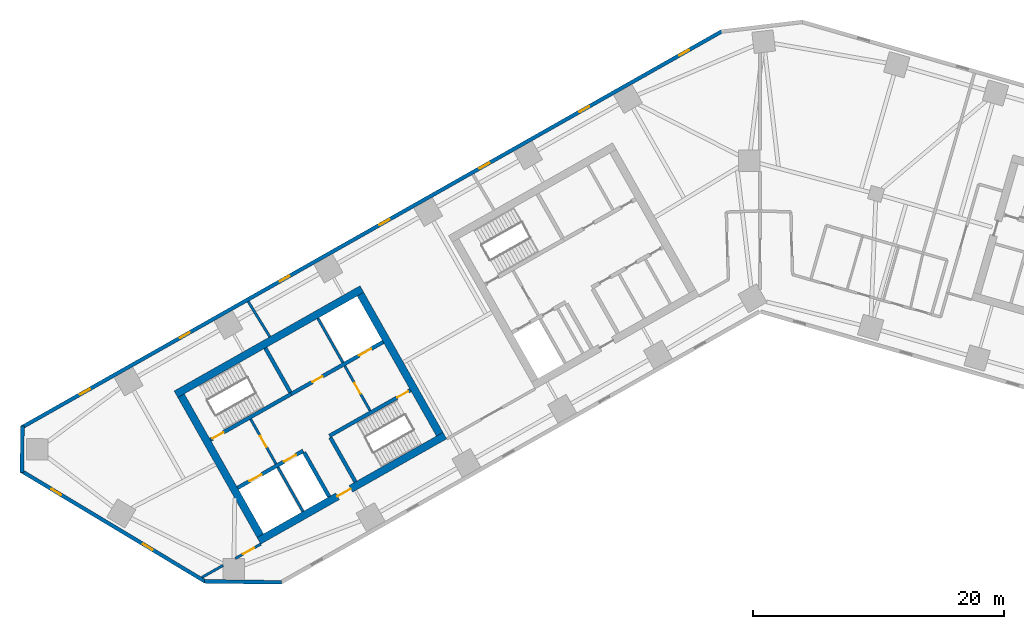
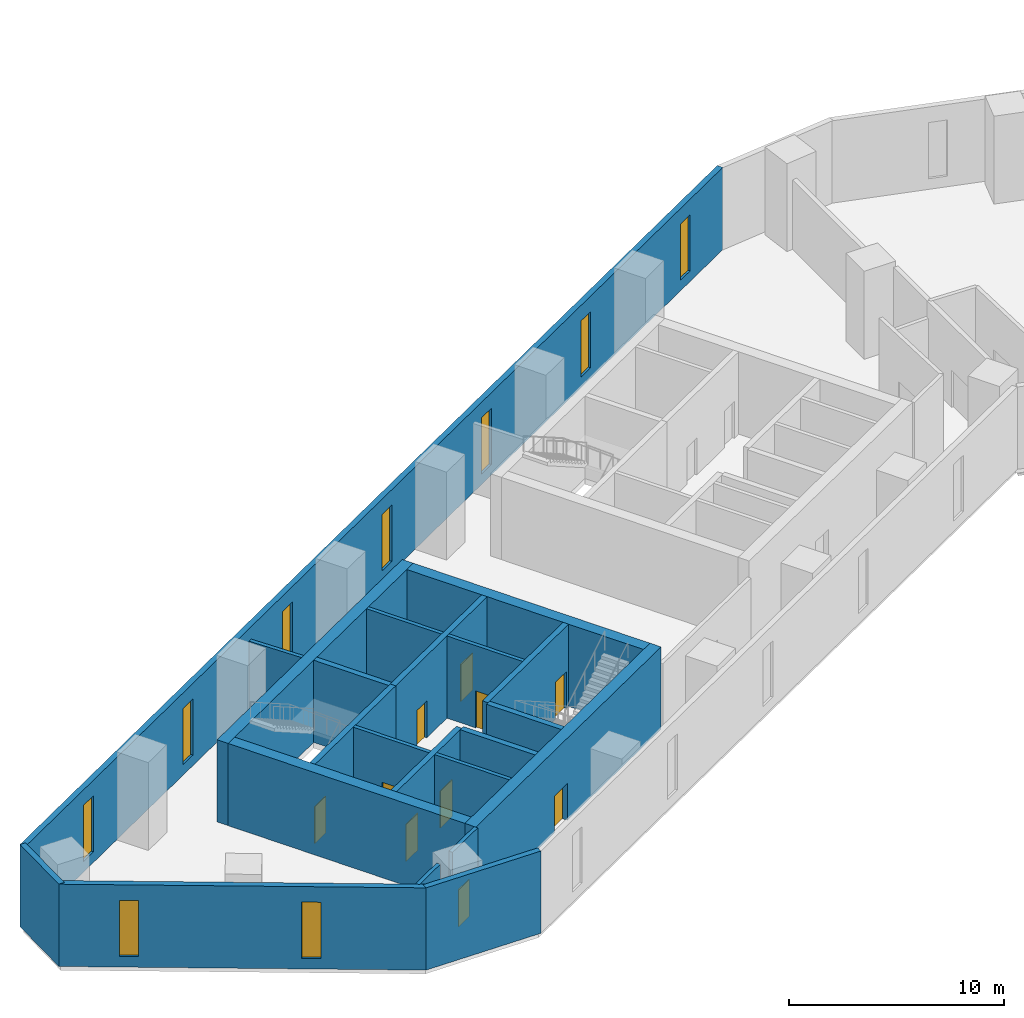
# One storey, part 3 of 10: 22 walls, 10 doors, 9 windows, 19 openings.
"""IFC4 building model written with IfcOpenShell, lengths in metres."""

from ifc_helpers import new_model, si_unit, direction, frame, frame_2d, origin, place, context, subcontext, project, spatial, rectangle, extrude, material, layer, layer_set, type_object, element, fill, save


model = new_model("IFC4")

# Units and contexts
model_context = context("Model", 3, precision=1e-05, world=origin(), true_north=direction((0.0, 1.0)))
body_context = subcontext(model_context, "Body", "Model", "MODEL_VIEW")
ifc_project = project(units=[si_unit("LENGTHUNIT", "METRE"), si_unit("AREAUNIT", "SQUARE_METRE"), si_unit("VOLUMEUNIT", "CUBIC_METRE"), si_unit("PLANEANGLEUNIT", "RADIAN"), si_unit("MASSUNIT", "GRAM", prefix="KILO")], contexts=[model_context])

# Site, building, storey
site_placement = place(None, origin())
site = spatial("IfcSite", under=ifc_project, at=site_placement, CompositionType="ELEMENT")
building_placement = place(site_placement, origin())
building = spatial("IfcBuilding", under=site, at=building_placement, Name="Binnacle Exchange Tower", CompositionType="ELEMENT")
storey_placement = place(building_placement, frame((0.0, 0.0, 31.5)))
storey = spatial("IfcBuildingStorey", under=building, at=storey_placement, Name="L06", CompositionType="ELEMENT", Elevation=31.5)

# Wall, openings, doors
ifc_material_1 = material(Name="Concrete C70/85", Category="concrete")
ifc_layer_1 = layer(ifc_material_1, 0.300048828125)
ifc_layer_set_1 = layer_set([ifc_layer_1], Name="Core wall - front 300")
wall_type_1 = type_object("IfcWallType", Name="Core wall - front 300", PredefinedType="SOLIDWALL", material=ifc_layer_set_1)
wall_1_placement = place(storey_placement, frame((-41.555908203125, 33.9609375, 0.0), z_axis=(0.0, 0.0, 1.0), x_axis=(0.870343731308, 0.492444706919, 0.0)))
wall_1 = element("IfcWall", 1, at=wall_1_placement, inside=storey, type_object=wall_type_1, Name="Core wall CRWA2", PredefinedType="SOLIDWALL", context=body_context, shape_type="SweptSolid", body=[
    extrude(rectangle(XDim=5.999755859375, YDim=0.300048828125, at=frame_2d((3.0, 0.0))), origin(), (0.0, 0.0, 1.0), 4.679931640625),
])
opening_1_placement = place(wall_1_placement, frame((1.099853515625, 0.0, 0.0)))
opening_1 = element("IfcOpeningElement", 2, at=opening_1_placement, cuts=wall_1, Name="Opening LD12", PredefinedType="OPENING", context=body_context, shape_type="SweptSolid", body=[
    extrude(rectangle(XDim=1.10009765625, YDim=2.10009765625, at=frame_2d((0.550048828125, 1.050048828125))), frame((0.0, 0.159912109375, 0.0), z_axis=(0.0, -1.0, 0.0), x_axis=(1.0, 0.0, 0.0)), (0.0, 0.0, 1.0), 0.320068359375),
])
opening_2_placement = place(wall_1_placement, frame((4.25, 0.0, 0.0)))
opening_2 = element("IfcOpeningElement", 3, at=opening_2_placement, cuts=wall_1, Name="Opening LD8", PredefinedType="OPENING", context=body_context, shape_type="SweptSolid", body=[
    extrude(rectangle(XDim=1.10009765625, YDim=2.10009765625, at=frame_2d((0.550048828125, 1.050048828125))), frame((0.0, 0.159912109375, 0.0), z_axis=(0.0, -1.0, 0.0), x_axis=(1.0, 0.0, 0.0)), (0.0, 0.0, 1.0), 0.320068359375),
])
ifc_material_2 = material(Name="Steel door leaf", Category="steel")
door_type_1 = type_object("IfcDoorType", Name="Fire door - lift landing 1100", OperationType="NOTDEFINED", PredefinedType="DOOR", material=ifc_material_2)
door_1_placement = place(opening_1_placement, origin())
door_1 = element("IfcDoor", 4, at=door_1_placement, inside=storey, type_object=door_type_1, Name="Landing door LD12 L06", OperationType="DOUBLE_DOOR_SLIDING", OverallHeight=2.10009765625, OverallWidth=1.10009765625, PredefinedType="DOOR", context=body_context, shape_type="SweptSolid", body=[
    extrude(rectangle(XDim=1.10009765625, YDim=2.10009765625, at=frame_2d((0.550048828125, 1.050048828125))), frame((0.0, 0.02490234375, 0.0), z_axis=(0.0, -1.0, 0.0), x_axis=(1.0, 0.0, 0.0)), (0.0, 0.0, 1.0), 0.050048828125),
])
fill(opening_1, door_1)
door_2_placement = place(opening_2_placement, origin())
door_2 = element("IfcDoor", 5, at=door_2_placement, inside=storey, type_object=door_type_1, Name="Landing door LD8 L06", OperationType="DOUBLE_DOOR_SLIDING", OverallHeight=2.10009765625, OverallWidth=1.10009765625, PredefinedType="DOOR", context=body_context, shape_type="SweptSolid", body=[
    extrude(rectangle(XDim=1.10009765625, YDim=2.10009765625, at=frame_2d((0.550048828125, 1.050048828125))), frame((0.0, 0.02490234375, 0.0), z_axis=(0.0, -1.0, 0.0), x_axis=(1.0, 0.0, 0.0)), (0.0, 0.0, 1.0), 0.050048828125),
])
fill(opening_2, door_2)

wall_2_placement = place(storey_placement, frame((-37.281982421875, 41.4345703125, 0.0), z_axis=(0.0, 0.0, 1.0), x_axis=(0.870356516133, 0.492422110414, 0.0)))
wall_2 = element("IfcWall", 6, at=wall_2_placement, inside=storey, type_object=wall_type_1, Name="Core wall CRWA5", PredefinedType="SOLIDWALL", context=body_context, shape_type="SweptSolid", body=[
    extrude(rectangle(XDim=8.399658203125, YDim=0.300048828125, at=frame_2d((4.19970703125, 0.0))), origin(), (0.0, 0.0, 1.0), 4.679931640625),
])
opening_3_placement = place(wall_2_placement, frame((6.199951171875, 0.0, 0.0)))
opening_3 = element("IfcOpeningElement", 7, at=opening_3_placement, cuts=wall_2, Name="Opening LD13", PredefinedType="OPENING", context=body_context, shape_type="SweptSolid", body=[
    extrude(rectangle(XDim=1.10009765625, YDim=2.10009765625, at=frame_2d((0.550048828125, 1.050048828125))), frame((0.0, 0.159912109375, 0.0), z_axis=(0.0, -1.0, 0.0), x_axis=(1.0, 0.0, 0.0)), (0.0, 0.0, 1.0), 0.320068359375),
])
opening_4_placement = place(wall_2_placement, frame((1.949951171875, 0.0, 0.0)))
opening_4 = element("IfcOpeningElement", 8, at=opening_4_placement, cuts=wall_2, Name="Opening DA10", PredefinedType="OPENING", context=body_context, shape_type="SweptSolid", body=[
    extrude(rectangle(XDim=0.89990234375, YDim=2.10009765625, at=frame_2d((0.449951171875, 1.050048828125))), frame((0.0, 0.159912109375, 0.0), z_axis=(0.0, -1.0, 0.0), x_axis=(1.0, 0.0, 0.0)), (0.0, 0.0, 1.0), 0.320068359375),
])
door_3_placement = place(opening_3_placement, origin())
door_3 = element("IfcDoor", 9, at=door_3_placement, inside=storey, type_object=door_type_1, Name="Landing door LD13 L06", OperationType="DOUBLE_DOOR_SLIDING", OverallHeight=2.10009765625, OverallWidth=1.10009765625, PredefinedType="DOOR", context=body_context, shape_type="SweptSolid", body=[
    extrude(rectangle(XDim=1.10009765625, YDim=2.10009765625, at=frame_2d((0.550048828125, 1.050048828125))), frame((0.0, 0.02490234375, 0.0), z_axis=(0.0, -1.0, 0.0), x_axis=(1.0, 0.0, 0.0)), (0.0, 0.0, 1.0), 0.050048828125),
])
fill(opening_3, door_3)
door_type_2 = type_object("IfcDoorType", Name="Fire door 900", OperationType="NOTDEFINED", PredefinedType="DOOR", material=ifc_material_2)
door_4_placement = place(opening_4_placement, origin())
door_4 = element("IfcDoor", 10, at=door_4_placement, inside=storey, type_object=door_type_2, Name="Core room door LINEN AND SUPPLIES STORE", OperationType="SINGLE_SWING_LEFT", OverallHeight=2.10009765625, OverallWidth=0.89990234375, PredefinedType="DOOR", context=body_context, shape_type="SweptSolid", body=[
    extrude(rectangle(XDim=0.89990234375, YDim=2.10009765625, at=frame_2d((0.449951171875, 1.050048828125))), frame((0.0, 0.02490234375, 0.0), z_axis=(0.0, -1.0, 0.0), x_axis=(1.0, 0.0, 0.0)), (0.0, 0.0, 1.0), 0.050048828125),
])
fill(opening_4, door_4)

# Wall
wall_3_placement = place(storey_placement, frame((-36.260009765625, 36.784912109375, 0.0), z_axis=(0.0, 0.0, 1.0), x_axis=(0.492440575896, -0.870346068648, 0.0)))
element("IfcWall", 11, at=wall_3_placement, inside=storey, type_object=wall_type_1, Name="Core wall CRWA13", PredefinedType="SOLIDWALL", context=body_context, shape_type="SweptSolid", body=[
    extrude(rectangle(XDim=4.050048828125, YDim=0.300048828125, at=frame_2d((2.02490234375, 0.0))), origin(), (0.0, 0.0, 1.0), 4.679931640625),
])

# Wall, opening, door
ifc_layer_2 = layer(ifc_material_1, 0.60009765625)
ifc_layer_set_2 = layer_set([ifc_layer_2], Name="Core wall - outer 600")
wall_type_2 = type_object("IfcWallType", Name="Core wall - outer 600", PredefinedType="SOLIDWALL", material=ifc_layer_set_2)
wall_4_placement = place(storey_placement, frame((-39.8623046875, 29.748779296875, 0.0), z_axis=(0.0, 0.0, 1.0), x_axis=(0.870350116061, 0.492433422375, 0.0)))
wall_4 = element("IfcWall", 12, at=wall_4_placement, inside=storey, type_object=wall_type_2, Name="Core wall CRWA1", PredefinedType="SOLIDWALL", context=body_context, shape_type="SweptSolid", body=[
    extrude(rectangle(XDim=17.0, YDim=0.60009765625, at=frame_2d((8.5, 0.0))), origin(), (0.0, 0.0, 1.0), 4.679931640625),
])
opening_5_placement = place(wall_4_placement, frame((7.199951171875, 0.0, 0.0)))
opening_5 = element("IfcOpeningElement", 13, at=opening_5_placement, cuts=wall_4, Name="Opening DA7", PredefinedType="OPENING", context=body_context, shape_type="SweptSolid", body=[
    extrude(rectangle(XDim=1.199951171875, YDim=2.10009765625, at=frame_2d((0.60009765625, 1.050048828125))), frame((0.0, 0.31005859375, 0.0), z_axis=(0.0, -1.0, 0.0), x_axis=(1.0, 0.0, 0.0)), (0.0, 0.0, 1.0), 0.6201171875),
])
door_type_3 = type_object("IfcDoorType", Name="Fire door 1200", OperationType="NOTDEFINED", PredefinedType="DOOR", material=ifc_material_2)
door_5_placement = place(opening_5_placement, frame((1.199951171875, 0.0, 0.0), z_axis=(0.0, 0.0, 1.0), x_axis=(-1.0, 0.0, 0.0)))
door_5 = element("IfcDoor", 14, at=door_5_placement, inside=storey, type_object=door_type_3, Name="Lift lobby entrance door core A", OperationType="SINGLE_SWING_RIGHT", OverallHeight=2.10009765625, OverallWidth=1.199951171875, PredefinedType="DOOR", context=body_context, shape_type="SweptSolid", body=[
    extrude(rectangle(XDim=1.199951171875, YDim=2.10009765625, at=frame_2d((0.60009765625, 1.050048828125))), frame((0.0, 0.02490234375, 0.0), z_axis=(0.0, -1.0, 0.0), x_axis=(1.0, 0.0, 0.0)), (0.0, 0.0, 1.0), 0.050048828125),
])
fill(opening_5, door_5)

# Walls
wall_5_placement = place(storey_placement, frame((-46.460693359375, 41.41162109375, 0.0), z_axis=(0.0, 0.0, 1.0), x_axis=(0.870350116061, 0.492433422375, 0.0)))
element("IfcWall", 15, at=wall_5_placement, inside=storey, type_object=wall_type_2, Name="Core wall CRWA6", PredefinedType="SOLIDWALL", context=body_context, shape_type="SweptSolid", body=[
    extrude(rectangle(XDim=17.0, YDim=0.60009765625, at=frame_2d((8.5, 0.0))), origin(), (0.0, 0.0, 1.0), 4.679931640625),
])
for number, where, z_axis, x_axis, name in (
    (16, (-46.052001953125, 41.29833984375, 0.0), (0.0, 0.0, 1.0), (0.492418598281, -0.870358503186, 0.0), "Core wall CRWA7"),
    (17, (-31.7783203125, 49.3740234375, 0.0), (0.0, 0.0, 1.0), (0.492433046652, -0.870350328641, 0.0), "Core wall CRWA22"),
):
    element("IfcWall", number, at=place(storey_placement, frame(where, z_axis=z_axis, x_axis=x_axis)), inside=storey, type_object=wall_type_2, Name=name, PredefinedType="SOLIDWALL", context=body_context, shape_type="SweptSolid", body=[
        extrude(rectangle(XDim=12.800048828125, YDim=0.60009765625, at=frame_2d((6.39990234375, 0.0))), origin(), (0.0, 0.0, 1.0), 4.679931640625),
    ])

# Wall, opening, door
ifc_layer_3 = layer(ifc_material_1, 0.300048828125)
ifc_layer_set_3 = layer_set([ifc_layer_3], Name="Core wall - stair 300")
wall_type_3 = type_object("IfcWallType", Name="Core wall - stair 300", PredefinedType="SOLIDWALL", material=ifc_layer_set_3)
wall_6_placement = place(storey_placement, frame((-34.2451171875, 38.097412109375, 0.0), z_axis=(0.0, 0.0, 1.0), x_axis=(0.870364910201, 0.492407273597, 0.0)))
wall_6 = element("IfcWall", 18, at=wall_6_placement, inside=storey, type_object=wall_type_3, Name="Core wall CRWA3", PredefinedType="SOLIDWALL", context=body_context, shape_type="SweptSolid", body=[
    extrude(rectangle(XDim=7.39990234375, YDim=0.300048828125, at=frame_2d((3.699951171875, 0.0))), origin(), (0.0, 0.0, 1.0), 4.679931640625),
])
opening_6_placement = place(wall_6_placement, frame((6.199951171875, 0.0, 0.0)))
opening_6 = element("IfcOpeningElement", 19, at=opening_6_placement, cuts=wall_6, Name="Opening DA2", PredefinedType="OPENING", context=body_context, shape_type="SweptSolid", body=[
    extrude(rectangle(XDim=1.0, YDim=2.10009765625, at=frame_2d((0.5, 1.050048828125))), frame((0.0, 0.159912109375, 0.0), z_axis=(0.0, -1.0, 0.0), x_axis=(1.0, 0.0, 0.0)), (0.0, 0.0, 1.0), 0.320068359375),
])
door_type_4 = type_object("IfcDoorType", Name="Fire door 1000", OperationType="NOTDEFINED", PredefinedType="DOOR", material=ifc_material_2)
door_6_placement = place(opening_6_placement, frame((1.0, 0.0, 0.0), z_axis=(0.0, 0.0, 1.0), x_axis=(-1.0, 0.0, 0.0)))
door_6 = element("IfcDoor", 20, at=door_6_placement, inside=storey, type_object=door_type_4, Name="Stair door ST-A2", OperationType="SINGLE_SWING_LEFT", OverallHeight=2.10009765625, OverallWidth=1.0, PredefinedType="DOOR", context=body_context, shape_type="SweptSolid", body=[
    extrude(rectangle(XDim=1.0, YDim=2.10009765625, at=frame_2d((0.5, 1.050048828125))), frame((0.0, 0.02490234375, 0.0), z_axis=(0.0, -1.0, 0.0), x_axis=(1.0, 0.0, 0.0)), (0.0, 0.0, 1.0), 0.050048828125),
])
fill(opening_6, door_6)

wall_7_placement = place(storey_placement, frame((-43.72265625, 37.79052734375, 0.0), z_axis=(0.0, 0.0, 1.0), x_axis=(0.87035077051, 0.49243226567, 0.0)))
wall_7 = element("IfcWall", 21, at=wall_7_placement, inside=storey, type_object=wall_type_3, Name="Core wall CRWA4", PredefinedType="SOLIDWALL", context=body_context, shape_type="SweptSolid", body=[
    extrude(rectangle(XDim=7.400146484375, YDim=0.300048828125, at=frame_2d((3.7001953125, 0.0))), origin(), (0.0, 0.0, 1.0), 4.679931640625),
])
opening_7_placement = place(wall_7_placement, frame((0.199951171875, 0.0, 0.0)))
opening_7 = element("IfcOpeningElement", 22, at=opening_7_placement, cuts=wall_7, Name="Opening DA1", PredefinedType="OPENING", context=body_context, shape_type="SweptSolid", body=[
    extrude(rectangle(XDim=1.0, YDim=2.10009765625, at=frame_2d((0.5, 1.050048828125))), frame((0.0, 0.159912109375, 0.0), z_axis=(0.0, -1.0, 0.0), x_axis=(1.0, 0.0, 0.0)), (0.0, 0.0, 1.0), 0.320068359375),
])
door_7_placement = place(opening_7_placement, origin())
door_7 = element("IfcDoor", 23, at=door_7_placement, inside=storey, type_object=door_type_4, Name="Stair door ST-A1", OperationType="SINGLE_SWING_LEFT", OverallHeight=2.10009765625, OverallWidth=1.0, PredefinedType="DOOR", context=body_context, shape_type="SweptSolid", body=[
    extrude(rectangle(XDim=1.0, YDim=2.10009765625, at=frame_2d((0.5, 1.050048828125))), frame((0.0, 0.02490234375, 0.0), z_axis=(0.0, -1.0, 0.0), x_axis=(1.0, 0.0, 0.0)), (0.0, 0.0, 1.0), 0.050048828125),
])
fill(opening_7, door_7)

# Walls
wall_8_placement = place(storey_placement, frame((-39.350341796875, 45.090087890625, 0.0), z_axis=(0.0, 0.0, 1.0), x_axis=(0.49241474071, -0.870360685654, 0.0)))
element("IfcWall", 24, at=wall_8_placement, inside=storey, type_object=wall_type_3, Name="Core wall CRWA14", PredefinedType="SOLIDWALL", context=body_context, shape_type="SweptSolid", body=[
    extrude(rectangle(XDim=4.05029296875, YDim=0.300048828125, at=frame_2d((2.025146484375, 0.0))), origin(), (0.0, 0.0, 1.0), 4.679931640625),
])
wall_9_placement = place(storey_placement, frame((-34.171142578125, 37.966796875, 0.0), z_axis=(0.0, 0.0, 1.0), x_axis=(0.492394910396, -0.870371904542, 0.0)))
element("IfcWall", 25, at=wall_9_placement, inside=storey, type_object=wall_type_3, Name="Core wall CRWA16", PredefinedType="SOLIDWALL", context=body_context, shape_type="SweptSolid", body=[
    extrude(rectangle(XDim=4.0498046875, YDim=0.300048828125, at=frame_2d((2.02490234375, 0.0))), origin(), (0.0, 0.0, 1.0), 4.679931640625),
])

# Wall, openings, windows
ifc_material_3 = material(Name="Bronze aluminium cladding", Category="aluminium")
ifc_layer_4 = layer(ifc_material_3, 0.300048828125)
ifc_layer_set_4 = layer_set([ifc_layer_4], Name="External wall - spandrel 300")
wall_type_4 = type_object("IfcWallType", Name="External wall - spandrel 300", PredefinedType="STANDARD", material=ifc_layer_set_4)
wall_10_placement = place(storey_placement, frame((-58.744873046875, 38.763671875, 0.0), z_axis=(0.0, 0.0, 1.0), x_axis=(0.870355811726, 0.492423355453, 0.0)))
wall_10 = element("IfcWall", 26, at=wall_10_placement, inside=storey, type_object=wall_type_4, Name="External wall EW-F03 L06", PredefinedType="STANDARD", context=body_context, shape_type="SweptSolid", body=[
    extrude(rectangle(XDim=64.025390625, YDim=0.300048828125, at=frame_2d((32.0126953125, 0.0))), origin(), (0.0, 0.0, 1.0), 4.679931640625),
])
opening_8_placement = place(wall_10_placement, frame((60.12158203125, 0.0, 0.60009765625)))
opening_8 = element("IfcOpeningElement", 27, at=opening_8_placement, cuts=wall_10, Name="Opening WS1", PredefinedType="OPENING", context=body_context, shape_type="SweptSolid", body=[
    extrude(rectangle(XDim=0.89990234375, YDim=3.199951171875, at=frame_2d((0.449951171875, 1.60009765625))), frame((0.0, 0.159912109375, 0.0), z_axis=(0.0, -1.0, 0.0), x_axis=(1.0, 0.0, 0.0)), (0.0, 0.0, 1.0), 0.320068359375),
])
opening_9_placement = place(wall_10_placement, frame((50.99169921875, 0.0, 0.60009765625)))
opening_9 = element("IfcOpeningElement", 28, at=opening_9_placement, cuts=wall_10, Name="Opening WS1", PredefinedType="OPENING", context=body_context, shape_type="SweptSolid", body=[
    extrude(rectangle(XDim=0.89990234375, YDim=3.199951171875, at=frame_2d((0.449951171875, 1.60009765625))), frame((0.0, 0.159912109375, 0.0), z_axis=(0.0, -1.0, 0.0), x_axis=(1.0, 0.0, 0.0)), (0.0, 0.0, 1.0), 0.320068359375),
])
opening_10_placement = place(wall_10_placement, frame((41.86181640625, 0.0, 0.60009765625)))
opening_10 = element("IfcOpeningElement", 29, at=opening_10_placement, cuts=wall_10, Name="Opening WS1", PredefinedType="OPENING", context=body_context, shape_type="SweptSolid", body=[
    extrude(rectangle(XDim=0.89990234375, YDim=3.199951171875, at=frame_2d((0.449951171875, 1.60009765625))), frame((0.0, 0.159912109375, 0.0), z_axis=(0.0, -1.0, 0.0), x_axis=(1.0, 0.0, 0.0)), (0.0, 0.0, 1.0), 0.320068359375),
])
opening_11_placement = place(wall_10_placement, frame((32.73193359375, 0.0, 0.60009765625)))
opening_11 = element("IfcOpeningElement", 30, at=opening_11_placement, cuts=wall_10, Name="Opening WS1", PredefinedType="OPENING", context=body_context, shape_type="SweptSolid", body=[
    extrude(rectangle(XDim=0.89990234375, YDim=3.199951171875, at=frame_2d((0.449951171875, 1.60009765625))), frame((0.0, 0.159912109375, 0.0), z_axis=(0.0, -1.0, 0.0), x_axis=(1.0, 0.0, 0.0)), (0.0, 0.0, 1.0), 0.320068359375),
])
opening_12_placement = place(wall_10_placement, frame((23.60205078125, 0.0, 0.60009765625)))
opening_12 = element("IfcOpeningElement", 31, at=opening_12_placement, cuts=wall_10, Name="Opening WS1", PredefinedType="OPENING", context=body_context, shape_type="SweptSolid", body=[
    extrude(rectangle(XDim=0.89990234375, YDim=3.199951171875, at=frame_2d((0.449951171875, 1.60009765625))), frame((0.0, 0.159912109375, 0.0), z_axis=(0.0, -1.0, 0.0), x_axis=(1.0, 0.0, 0.0)), (0.0, 0.0, 1.0), 0.320068359375),
])
opening_13_placement = place(wall_10_placement, frame((14.47216796875, 0.0, 0.60009765625)))
opening_13 = element("IfcOpeningElement", 32, at=opening_13_placement, cuts=wall_10, Name="Opening WS1", PredefinedType="OPENING", context=body_context, shape_type="SweptSolid", body=[
    extrude(rectangle(XDim=0.89990234375, YDim=3.199951171875, at=frame_2d((0.449951171875, 1.60009765625))), frame((0.0, 0.159912109375, 0.0), z_axis=(0.0, -1.0, 0.0), x_axis=(1.0, 0.0, 0.0)), (0.0, 0.0, 1.0), 0.320068359375),
])
opening_14_placement = place(wall_10_placement, frame((5.34228515625, 0.0, 0.60009765625)))
opening_14 = element("IfcOpeningElement", 33, at=opening_14_placement, cuts=wall_10, Name="Opening WS1", PredefinedType="OPENING", context=body_context, shape_type="SweptSolid", body=[
    extrude(rectangle(XDim=0.89990234375, YDim=3.199951171875, at=frame_2d((0.449951171875, 1.60009765625))), frame((0.0, 0.159912109375, 0.0), z_axis=(0.0, -1.0, 0.0), x_axis=(1.0, 0.0, 0.0)), (0.0, 0.0, 1.0), 0.320068359375),
])
ifc_material_4 = material(Name="Bronze anodised aluminium frame", Category="aluminium")
window_type = type_object("IfcWindowType", Name="WS1 WINDOW 900x3200", PartitioningType="SINGLE_PANEL", PredefinedType="WINDOW", material=ifc_material_4)
window_1_placement = place(opening_8_placement, origin())
window_1 = element("IfcWindow", 34, at=window_1_placement, inside=storey, type_object=window_type, Name="Window WS1 L06", OverallHeight=3.199951171875, OverallWidth=0.89990234375, PartitioningType="SINGLE_PANEL", PredefinedType="WINDOW", context=body_context, shape_type="SweptSolid", body=[
    extrude(rectangle(XDim=0.89990234375, YDim=3.199951171875, at=frame_2d((0.449951171875, 1.60009765625))), frame((0.0, 0.030029296875, 0.0), z_axis=(0.0, -1.0, 0.0), x_axis=(1.0, 0.0, 0.0)), (0.0, 0.0, 1.0), 0.06005859375),
])
fill(opening_8, window_1)
window_2_placement = place(opening_9_placement, origin())
window_2 = element("IfcWindow", 35, at=window_2_placement, inside=storey, type_object=window_type, Name="Window WS1 L06", OverallHeight=3.199951171875, OverallWidth=0.89990234375, PartitioningType="SINGLE_PANEL", PredefinedType="WINDOW", context=body_context, shape_type="SweptSolid", body=[
    extrude(rectangle(XDim=0.89990234375, YDim=3.199951171875, at=frame_2d((0.449951171875, 1.60009765625))), frame((0.0, 0.030029296875, 0.0), z_axis=(0.0, -1.0, 0.0), x_axis=(1.0, 0.0, 0.0)), (0.0, 0.0, 1.0), 0.06005859375),
])
fill(opening_9, window_2)
window_3_placement = place(opening_10_placement, origin())
window_3 = element("IfcWindow", 36, at=window_3_placement, inside=storey, type_object=window_type, Name="Window WS1 L06", OverallHeight=3.199951171875, OverallWidth=0.89990234375, PartitioningType="SINGLE_PANEL", PredefinedType="WINDOW", context=body_context, shape_type="SweptSolid", body=[
    extrude(rectangle(XDim=0.89990234375, YDim=3.199951171875, at=frame_2d((0.449951171875, 1.60009765625))), frame((0.0, 0.030029296875, 0.0), z_axis=(0.0, -1.0, 0.0), x_axis=(1.0, 0.0, 0.0)), (0.0, 0.0, 1.0), 0.06005859375),
])
fill(opening_10, window_3)
window_4_placement = place(opening_11_placement, origin())
window_4 = element("IfcWindow", 37, at=window_4_placement, inside=storey, type_object=window_type, Name="Window WS1 L06", OverallHeight=3.199951171875, OverallWidth=0.89990234375, PartitioningType="SINGLE_PANEL", PredefinedType="WINDOW", context=body_context, shape_type="SweptSolid", body=[
    extrude(rectangle(XDim=0.89990234375, YDim=3.199951171875, at=frame_2d((0.449951171875, 1.60009765625))), frame((0.0, 0.030029296875, 0.0), z_axis=(0.0, -1.0, 0.0), x_axis=(1.0, 0.0, 0.0)), (0.0, 0.0, 1.0), 0.06005859375),
])
fill(opening_11, window_4)
window_5_placement = place(opening_12_placement, origin())
window_5 = element("IfcWindow", 38, at=window_5_placement, inside=storey, type_object=window_type, Name="Window WS1 L06", OverallHeight=3.199951171875, OverallWidth=0.89990234375, PartitioningType="SINGLE_PANEL", PredefinedType="WINDOW", context=body_context, shape_type="SweptSolid", body=[
    extrude(rectangle(XDim=0.89990234375, YDim=3.199951171875, at=frame_2d((0.449951171875, 1.60009765625))), frame((0.0, 0.030029296875, 0.0), z_axis=(0.0, -1.0, 0.0), x_axis=(1.0, 0.0, 0.0)), (0.0, 0.0, 1.0), 0.06005859375),
])
fill(opening_12, window_5)
window_6_placement = place(opening_13_placement, origin())
window_6 = element("IfcWindow", 39, at=window_6_placement, inside=storey, type_object=window_type, Name="Window WS1 L06", OverallHeight=3.199951171875, OverallWidth=0.89990234375, PartitioningType="SINGLE_PANEL", PredefinedType="WINDOW", context=body_context, shape_type="SweptSolid", body=[
    extrude(rectangle(XDim=0.89990234375, YDim=3.199951171875, at=frame_2d((0.449951171875, 1.60009765625))), frame((0.0, 0.030029296875, 0.0), z_axis=(0.0, -1.0, 0.0), x_axis=(1.0, 0.0, 0.0)), (0.0, 0.0, 1.0), 0.06005859375),
])
fill(opening_13, window_6)
window_7_placement = place(opening_14_placement, origin())
window_7 = element("IfcWindow", 40, at=window_7_placement, inside=storey, type_object=window_type, Name="Window WS1 L06", OverallHeight=3.199951171875, OverallWidth=0.89990234375, PartitioningType="SINGLE_PANEL", PredefinedType="WINDOW", context=body_context, shape_type="SweptSolid", body=[
    extrude(rectangle(XDim=0.89990234375, YDim=3.199951171875, at=frame_2d((0.449951171875, 1.60009765625))), frame((0.0, 0.030029296875, 0.0), z_axis=(0.0, -1.0, 0.0), x_axis=(1.0, 0.0, 0.0)), (0.0, 0.0, 1.0), 0.06005859375),
])
fill(opening_14, window_7)

# Wall
wall_11_placement = place(storey_placement, frame((-58.717041015625, 35.19384765625, 0.0), z_axis=(0.0, 0.0, 1.0), x_axis=(0.013069053407, 0.999914596275, 0.0)))
element("IfcWall", 41, at=wall_11_placement, inside=storey, type_object=wall_type_4, Name="External wall EW-F04 L06", PredefinedType="STANDARD", context=body_context, shape_type="SweptSolid", body=[
    extrude(rectangle(XDim=3.69873046875, YDim=0.300048828125, at=frame_2d((1.849365234375, 0.0))), origin(), (0.0, 0.0, 1.0), 4.679931640625),
])

# Wall, openings, windows
wall_12_placement = place(storey_placement, frame((-44.109375, 26.503662109375, 0.0), z_axis=(0.0, 0.0, 1.0), x_axis=(-0.857169502585, 0.515034410344, 0.0)))
wall_12 = element("IfcWall", 42, at=wall_12_placement, inside=storey, type_object=wall_type_4, Name="External wall EW-F05 L06", PredefinedType="STANDARD", context=body_context, shape_type="SweptSolid", body=[
    extrude(rectangle(XDim=17.126708984375, YDim=0.300048828125, at=frame_2d((8.5634765625, 0.0))), origin(), (0.0, 0.0, 1.0), 4.679931640625),
])
opening_15_placement = place(wall_12_placement, frame((13.403076171875, 0.0, 0.60009765625)))
opening_15 = element("IfcOpeningElement", 43, at=opening_15_placement, cuts=wall_12, Name="Opening WS1", PredefinedType="OPENING", context=body_context, shape_type="SweptSolid", body=[
    extrude(rectangle(XDim=0.89990234375, YDim=3.199951171875, at=frame_2d((0.449951171875, 1.60009765625))), frame((0.0, 0.159912109375, 0.0), z_axis=(0.0, -1.0, 0.0), x_axis=(1.0, 0.0, 0.0)), (0.0, 0.0, 1.0), 0.320068359375),
])
opening_16_placement = place(wall_12_placement, frame((4.903076171875, 0.0, 0.60009765625)))
opening_16 = element("IfcOpeningElement", 44, at=opening_16_placement, cuts=wall_12, Name="Opening WS1", PredefinedType="OPENING", context=body_context, shape_type="SweptSolid", body=[
    extrude(rectangle(XDim=0.89990234375, YDim=3.199951171875, at=frame_2d((0.449951171875, 1.60009765625))), frame((0.0, 0.159912109375, 0.0), z_axis=(0.0, -1.0, 0.0), x_axis=(1.0, 0.0, 0.0)), (0.0, 0.0, 1.0), 0.320068359375),
])
window_8_placement = place(opening_15_placement, origin())
window_8 = element("IfcWindow", 45, at=window_8_placement, inside=storey, type_object=window_type, Name="Window WS1 L06", OverallHeight=3.199951171875, OverallWidth=0.89990234375, PartitioningType="SINGLE_PANEL", PredefinedType="WINDOW", context=body_context, shape_type="SweptSolid", body=[
    extrude(rectangle(XDim=0.89990234375, YDim=3.199951171875, at=frame_2d((0.449951171875, 1.60009765625))), frame((0.0, 0.030029296875, 0.0), z_axis=(0.0, -1.0, 0.0), x_axis=(1.0, 0.0, 0.0)), (0.0, 0.0, 1.0), 0.06005859375),
])
fill(opening_15, window_8)
window_9_placement = place(opening_16_placement, origin())
window_9 = element("IfcWindow", 46, at=window_9_placement, inside=storey, type_object=window_type, Name="Window WS1 L06", OverallHeight=3.199951171875, OverallWidth=0.89990234375, PartitioningType="SINGLE_PANEL", PredefinedType="WINDOW", context=body_context, shape_type="SweptSolid", body=[
    extrude(rectangle(XDim=0.89990234375, YDim=3.199951171875, at=frame_2d((0.449951171875, 1.60009765625))), frame((0.0, 0.030029296875, 0.0), z_axis=(0.0, -1.0, 0.0), x_axis=(1.0, 0.0, 0.0)), (0.0, 0.0, 1.0), 0.06005859375),
])
fill(opening_16, window_9)

# Walls
wall_13_placement = place(storey_placement, frame((-38.057373046875, 26.44482421875, 0.0), z_axis=(0.0, 0.0, 1.0), x_axis=(-0.999914086342, 0.013108010296, 0.0)))
element("IfcWall", 47, at=wall_13_placement, inside=storey, type_object=wall_type_4, Name="External wall EW-F06 L06", PredefinedType="STANDARD", context=body_context, shape_type="SweptSolid", body=[
    extrude(rectangle(XDim=6.127685546875, YDim=0.300048828125, at=frame_2d((3.06396484375, 0.0))), origin(), (0.0, 0.0, 1.0), 4.679931640625),
])
ifc_material_5 = material(Name="Masonry block wall", Category="masonry")
ifc_layer_5 = layer(ifc_material_5, 0.199951171875)
ifc_layer_set_5 = layer_set([ifc_layer_5], Name="Fire wall - block 200")
wall_type_5 = type_object("IfcWallType", Name="Fire wall - block 200", PredefinedType="PARTITIONING", material=ifc_layer_set_5)
wall_14_placement = place(storey_placement, frame((-44.385986328125, 26.844970703125, 0.0), z_axis=(0.0, 0.0, 1.0), x_axis=(0.870226201187, 0.492652371118, 0.0)))
element("IfcWall", 48, at=wall_14_placement, inside=storey, type_object=wall_type_5, Name="Partition W01", PredefinedType="PARTITIONING", context=body_context, shape_type="SweptSolid", body=[
    extrude(rectangle(XDim=1.9326171875, YDim=0.199951171875, at=frame_2d((0.96630859375, 0.0))), origin(), (0.0, 0.0, 1.0), 4.679931640625),
])

# Wall, opening, door
wall_15_placement = place(storey_placement, frame((-41.738037109375, 28.343017578125, 0.0), z_axis=(0.0, 0.0, 1.0), x_axis=(0.870265350095, 0.492583211676, 0.0)))
wall_15 = element("IfcWall", 49, at=wall_15_placement, inside=storey, type_object=wall_type_5, Name="Partition W02", PredefinedType="PARTITIONING", context=body_context, shape_type="SweptSolid", body=[
    extrude(rectangle(XDim=2.324462890625, YDim=0.199951171875, at=frame_2d((1.162109375, 0.0))), origin(), (0.0, 0.0, 1.0), 4.679931640625),
])
opening_17_placement = place(wall_15_placement, frame((0.699951171875, 0.0, 0.0)))
opening_17 = element("IfcOpeningElement", 50, at=opening_17_placement, cuts=wall_15, Name="Opening DL05-01", PredefinedType="OPENING", context=body_context, shape_type="SweptSolid", body=[
    extrude(rectangle(XDim=1.0, YDim=2.10009765625, at=frame_2d((0.5, 1.050048828125))), frame((0.0, 0.10986328125, 0.0), z_axis=(0.0, -1.0, 0.0), x_axis=(1.0, 0.0, 0.0)), (0.0, 0.0, 1.0), 0.219970703125),
])
door_8_placement = place(opening_17_placement, origin())
door_8 = element("IfcDoor", 51, at=door_8_placement, inside=storey, type_object=door_type_4, Name="Door DL05-01", OperationType="SINGLE_SWING_RIGHT", OverallHeight=2.10009765625, OverallWidth=1.0, PredefinedType="DOOR", context=body_context, shape_type="SweptSolid", body=[
    extrude(rectangle(XDim=1.0, YDim=2.10009765625, at=frame_2d((0.5, 1.050048828125))), frame((0.0, 0.02490234375, 0.0), z_axis=(0.0, -1.0, 0.0), x_axis=(1.0, 0.0, 0.0)), (0.0, 0.0, 1.0), 0.050048828125),
])
fill(opening_17, door_8)

# Wall
wall_16_placement = place(storey_placement, frame((-40.712890625, 48.7939453125, 0.0), z_axis=(0.0, 0.0, 1.0), x_axis=(0.52165366254, -0.853157345604, 0.0)))
element("IfcWall", 52, at=wall_16_placement, inside=storey, type_object=wall_type_5, Name="Partition W03", PredefinedType="PARTITIONING", context=body_context, shape_type="SweptSolid", body=[
    extrude(rectangle(XDim=3.297119140625, YDim=0.199951171875, at=frame_2d((1.6484375, 0.0))), origin(), (0.0, 0.0, 1.0), 3.9599609375),
])

# Wall, opening, door
ifc_layer_6 = layer(ifc_material_5, 0.199951171875)
ifc_layer_set_6 = layer_set([ifc_layer_6], Name="Fire wall - vestibule 200")
wall_type_6 = type_object("IfcWallType", Name="Fire wall - vestibule 200", PredefinedType="PARTITIONING", material=ifc_layer_set_6)
wall_17_placement = place(storey_placement, frame((-40.515625, 39.4326171875, 0.0), z_axis=(0.0, 0.0, 1.0), x_axis=(0.492453559952, -0.87033872216, 0.0)))
wall_17 = element("IfcWall", 53, at=wall_17_placement, inside=storey, type_object=wall_type_6, Name="Core wall CRWA10", PredefinedType="PARTITIONING", context=body_context, shape_type="SweptSolid", body=[
    extrude(rectangle(XDim=4.099853515625, YDim=0.199951171875, at=frame_2d((2.0498046875, 0.0))), origin(), (0.0, 0.0, 1.0), 4.679931640625),
])
opening_18_placement = place(wall_17_placement, frame((1.550048828125, 0.0, 0.0)))
opening_18 = element("IfcOpeningElement", 54, at=opening_18_placement, cuts=wall_17, Name="Opening DA3", PredefinedType="OPENING", context=body_context, shape_type="SweptSolid", body=[
    extrude(rectangle(XDim=1.0, YDim=2.10009765625, at=frame_2d((0.5, 1.050048828125))), frame((0.0, 0.10986328125, 0.0), z_axis=(0.0, -1.0, 0.0), x_axis=(1.0, 0.0, 0.0)), (0.0, 0.0, 1.0), 0.219970703125),
])
door_9_placement = place(opening_18_placement, frame((1.0, 0.0, 0.0), z_axis=(0.0, 0.0, 1.0), x_axis=(-1.0, 0.0, 0.0)))
door_9 = element("IfcDoor", 55, at=door_9_placement, inside=storey, type_object=door_type_4, Name="Vestibule door VEST-W", OperationType="SINGLE_SWING_LEFT", OverallHeight=2.10009765625, OverallWidth=1.0, PredefinedType="DOOR", context=body_context, shape_type="SweptSolid", body=[
    extrude(rectangle(XDim=1.0, YDim=2.10009765625, at=frame_2d((0.5, 1.050048828125))), frame((0.0, 0.02490234375, 0.0), z_axis=(0.0, -1.0, 0.0), x_axis=(1.0, 0.0, 0.0)), (0.0, 0.0, 1.0), 0.050048828125),
])
fill(opening_18, door_9)

wall_18_placement = place(storey_placement, frame((-33.030517578125, 43.66748046875, 0.0), z_axis=(0.0, 0.0, 1.0), x_axis=(0.492408451753, -0.87036424366, 0.0)))
wall_18 = element("IfcWall", 56, at=wall_18_placement, inside=storey, type_object=wall_type_6, Name="Core wall CRWA19", PredefinedType="PARTITIONING", context=body_context, shape_type="SweptSolid", body=[
    extrude(rectangle(XDim=4.099853515625, YDim=0.199951171875, at=frame_2d((2.0498046875, 0.0))), origin(), (0.0, 0.0, 1.0), 4.679931640625),
])
opening_19_placement = place(wall_18_placement, frame((1.550048828125, 0.0, 0.0)))
opening_19 = element("IfcOpeningElement", 57, at=opening_19_placement, cuts=wall_18, Name="Opening DA4", PredefinedType="OPENING", context=body_context, shape_type="SweptSolid", body=[
    extrude(rectangle(XDim=1.0, YDim=2.10009765625, at=frame_2d((0.5, 1.050048828125))), frame((0.0, 0.10986328125, 0.0), z_axis=(0.0, -1.0, 0.0), x_axis=(1.0, 0.0, 0.0)), (0.0, 0.0, 1.0), 0.219970703125),
])
door_10_placement = place(opening_19_placement, origin())
door_10 = element("IfcDoor", 58, at=door_10_placement, inside=storey, type_object=door_type_4, Name="Vestibule door VEST-E", OperationType="SINGLE_SWING_RIGHT", OverallHeight=2.10009765625, OverallWidth=1.0, PredefinedType="DOOR", context=body_context, shape_type="SweptSolid", body=[
    extrude(rectangle(XDim=1.0, YDim=2.10009765625, at=frame_2d((0.5, 1.050048828125))), frame((0.0, 0.02490234375, 0.0), z_axis=(0.0, -1.0, 0.0), x_axis=(1.0, 0.0, 0.0)), (0.0, 0.0, 1.0), 0.050048828125),
])
fill(opening_19, door_10)

# Walls
ifc_layer_7 = layer(ifc_material_5, 0.199951171875)
ifc_layer_set_7 = layer_set([ifc_layer_7], Name="Shaft wall 200")
wall_type_7 = type_object("IfcWallType", Name="Shaft wall 200", PredefinedType="SOLIDWALL", material=ifc_layer_set_7)
wall_19_placement = place(storey_placement, frame((-38.348876953125, 35.603271484375, 0.0), z_axis=(0.0, 0.0, 1.0), x_axis=(0.49241474071, -0.870360685654, 0.0)))
element("IfcWall", 59, at=wall_19_placement, inside=storey, type_object=wall_type_7, Name="Core wall CRWA9", PredefinedType="SOLIDWALL", context=body_context, shape_type="SweptSolid", body=[
    extrude(rectangle(XDim=4.05029296875, YDim=0.199951171875, at=frame_2d((2.025146484375, 0.0))), origin(), (0.0, 0.0, 1.0), 4.679931640625),
])
wall_20_placement = place(storey_placement, frame((-35.172607421875, 47.45361328125, 0.0), z_axis=(0.0, 0.0, 1.0), x_axis=(0.492440575896, -0.870346068648, 0.0)))
element("IfcWall", 60, at=wall_20_placement, inside=storey, type_object=wall_type_7, Name="Core wall CRWA21", PredefinedType="SOLIDWALL", context=body_context, shape_type="SweptSolid", body=[
    extrude(rectangle(XDim=4.050048828125, YDim=0.199951171875, at=frame_2d((2.02490234375, 0.0))), origin(), (0.0, 0.0, 1.0), 4.679931640625),
])

save(model, "model.ifc")
